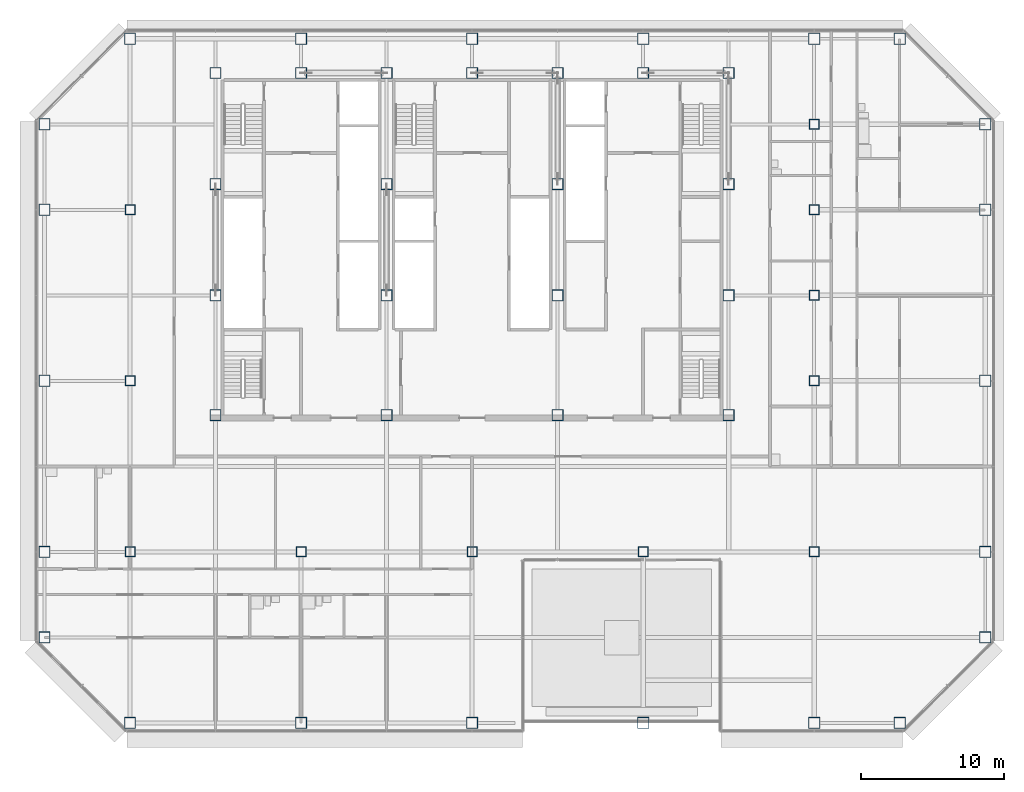
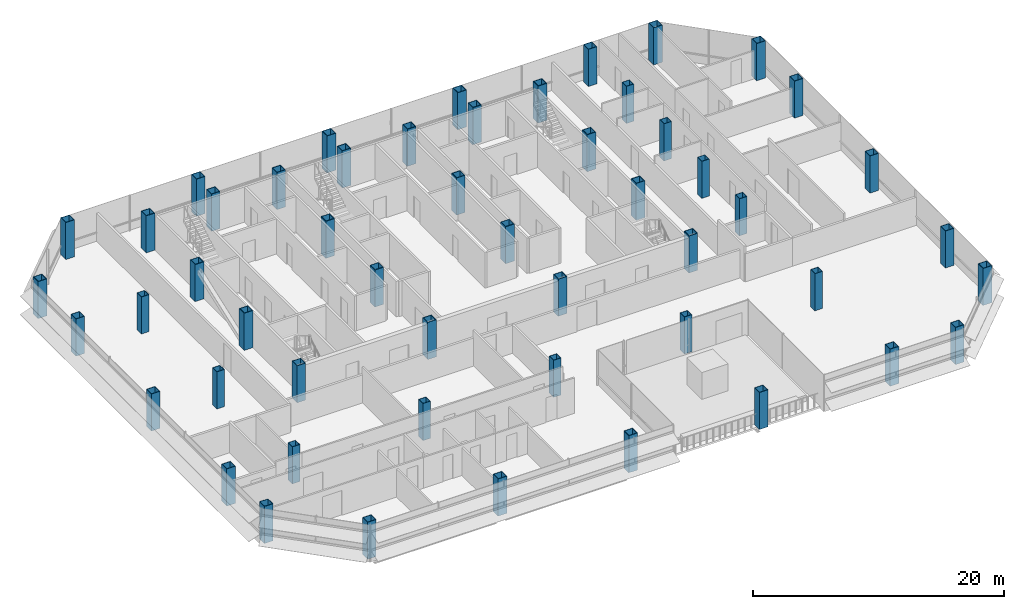
# One storey, part 1 of 26: 52 columns.
"""IFC4 building model written with IfcOpenShell, lengths in metres."""

from ifc_helpers import new_model, si_unit, direction, frame, origin, origin_2d, place, context, subcontext, project, spatial, hollow_rectangle, extrude, material, material_profile, profile_set, type_object, element, save


model = new_model("IFC4")

# Units and contexts
model_context = context("Model", 3, precision=1e-05, world=origin(), true_north=direction((0.0, 1.0)))
body_context = subcontext(model_context, "Body", "Model", "MODEL_VIEW")
ifc_project = project(units=[si_unit("LENGTHUNIT", "METRE"), si_unit("AREAUNIT", "SQUARE_METRE"), si_unit("VOLUMEUNIT", "CUBIC_METRE"), si_unit("PLANEANGLEUNIT", "RADIAN"), si_unit("MASSUNIT", "GRAM", prefix="KILO")], contexts=[model_context])

# Site, building, storey
site_placement = place(None, origin())
site = spatial("IfcSite", under=ifc_project, at=site_placement, CompositionType="ELEMENT")
building_placement = place(site_placement, origin())
building = spatial("IfcBuilding", under=site, at=building_placement, Name="Sorahane Residences", CompositionType="ELEMENT")
storey_placement = place(building_placement, frame((0.0, 0.0, 103.39990234375)))
storey = spatial("IfcBuildingStorey", under=building, at=storey_placement, Name="L22", CompositionType="ELEMENT", Elevation=103.39990234375)

# Columns
ifc_material_1 = material(Name="Steel Q355B", Category="steel")
ifc_material_profile_1 = material_profile(ifc_material_1, hollow_rectangle(XDim=0.699951171875, YDim=0.699951171875, WallThickness=0.035888671875, at=origin_2d()), Name="BOX 700x700x36")
ifc_profile_set_1 = profile_set([ifc_material_profile_1], Name="Steel Q355B")
column_type_1 = type_object("IfcColumnType", Name="Steel box column BOX 700x700x36 Q355B", PredefinedType="COLUMN", material=ifc_profile_set_1)
for number, where, z_axis, x_axis, name in (
    (1, (0.0, 12.0, 0.0), (0.0, 0.0, 1.0), (1.0, 0.0, 0.0), "Column L22 0/12"),
    (2, (0.0, 24.0, 0.0), (0.0, 0.0, 1.0), (1.0, 0.0, 0.0), "Column L22 0/24"),
    (3, (0.0, 36.0, 0.0), (0.0, 0.0, 1.0), (1.0, 0.0, 0.0), "Column L22 0/36"),
    (4, (12.0, 12.0, 0.0), (0.0, 0.0, 1.0), (1.0, 0.0, 0.0), "Column L22 12/12"),
    (5, (24.0, 12.0, 0.0), (0.0, 0.0, 1.0), (1.0, 0.0, 0.0), "Column L22 24/12"),
    (6, (36.0, 12.0, 0.0), (0.0, 0.0, 1.0), (1.0, 0.0, 0.0), "Column L22 36/12"),
    (7, (48.0, 12.0, 0.0), (0.0, 0.0, 1.0), (1.0, 0.0, 0.0), "Column L22 48/12"),
    (8, (48.0, 24.0, 0.0), (0.0, 0.0, 1.0), (1.0, 0.0, 0.0), "Column L22 48/24"),
    (9, (48.0, 30.0, 0.0), (0.0, 0.0, 1.0), (1.0, 0.0, 0.0), "Column L22 48/30"),
    (10, (48.0, 36.0, 0.0), (0.0, 0.0, 1.0), (1.0, 0.0, 0.0), "Column L22 48/36"),
    (11, (48.0, 42.0, 0.0), (0.0, 0.0, 1.0), (1.0, 0.0, 0.0), "Column L22 48/42"),
):
    element("IfcColumn", number, at=place(storey_placement, frame(where, z_axis=z_axis, x_axis=x_axis)), inside=storey, type_object=column_type_1, Name=name, PredefinedType="COLUMN", context=body_context, shape_type="SweptSolid", body=[
        extrude(hollow_rectangle(XDim=0.699951171875, YDim=0.699951171875, WallThickness=0.035888671875, at=origin_2d()), origin(), (0.0, 0.0, 1.0), 3.60009765625),
    ])
ifc_material_2 = material(Name="Steel Q355B", Category="steel")
ifc_material_profile_2 = material_profile(ifc_material_2, hollow_rectangle(XDim=0.800048828125, YDim=0.800048828125, WallThickness=0.0400390625, at=origin_2d()), Name="BOX 800x800x40")
ifc_profile_set_2 = profile_set([ifc_material_profile_2], Name="Steel Q355B")
column_type_2 = type_object("IfcColumnType", Name="Steel box column BOX 800x800x40 Q355B", PredefinedType="COLUMN", material=ifc_profile_set_2)
for number, where, z_axis, x_axis, name in (
    (12, (-6.0, 6.0, 0.0), (0.0, 0.0, 1.0), (1.0, 0.0, 0.0), "Column L22 m6/6"),
    (13, (-6.0, 12.0, 0.0), (0.0, 0.0, 1.0), (1.0, 0.0, 0.0), "Column L22 m6/12"),
    (14, (-6.0, 24.0, 0.0), (0.0, 0.0, 1.0), (1.0, 0.0, 0.0), "Column L22 m6/24"),
    (15, (-6.0, 36.0, 0.0), (0.0, 0.0, 1.0), (1.0, 0.0, 0.0), "Column L22 m6/36"),
    (16, (-6.0, 42.0, 0.0), (0.0, 0.0, 1.0), (1.0, 0.0, 0.0), "Column L22 m6/42"),
    (17, (0.0, 0.0, 0.0), (0.0, 0.0, 1.0), (1.0, 0.0, 0.0), "Column L22 0/0"),
    (18, (0.0, 48.0, 0.0), (0.0, 0.0, 1.0), (1.0, 0.0, 0.0), "Column L22 0/48"),
    (19, (12.0, 0.0, 0.0), (0.0, 0.0, 1.0), (1.0, 0.0, 0.0), "Column L22 12/0"),
    (20, (12.0, 48.0, 0.0), (0.0, 0.0, 1.0), (1.0, 0.0, 0.0), "Column L22 12/48"),
    (21, (24.0, 0.0, 0.0), (0.0, 0.0, 1.0), (1.0, 0.0, 0.0), "Column L22 24/0"),
    (22, (24.0, 48.0, 0.0), (0.0, 0.0, 1.0), (1.0, 0.0, 0.0), "Column L22 24/48"),
    (23, (36.0, 0.0, 0.0), (0.0, 0.0, 1.0), (1.0, 0.0, 0.0), "Column L22 36/0"),
    (24, (36.0, 48.0, 0.0), (0.0, 0.0, 1.0), (1.0, 0.0, 0.0), "Column L22 36/48"),
    (25, (48.0, 0.0, 0.0), (0.0, 0.0, 1.0), (1.0, 0.0, 0.0), "Column L22 48/0"),
    (26, (48.0, 48.0, 0.0), (0.0, 0.0, 1.0), (1.0, 0.0, 0.0), "Column L22 48/48"),
    (27, (54.0, 0.0, 0.0), (0.0, 0.0, 1.0), (1.0, 0.0, 0.0), "Column L22 54/0"),
    (28, (54.0, 48.0, 0.0), (0.0, 0.0, 1.0), (1.0, 0.0, 0.0), "Column L22 54/48"),
    (29, (60.0, 6.0, 0.0), (0.0, 0.0, 1.0), (1.0, 0.0, 0.0), "Column L22 60/6"),
    (30, (60.0, 12.0, 0.0), (0.0, 0.0, 1.0), (1.0, 0.0, 0.0), "Column L22 60/12"),
    (31, (60.0, 24.0, 0.0), (0.0, 0.0, 1.0), (1.0, 0.0, 0.0), "Column L22 60/24"),
    (32, (60.0, 36.0, 0.0), (0.0, 0.0, 1.0), (1.0, 0.0, 0.0), "Column L22 60/36"),
    (33, (60.0, 42.0, 0.0), (0.0, 0.0, 1.0), (1.0, 0.0, 0.0), "Column L22 60/42"),
):
    element("IfcColumn", number, at=place(storey_placement, frame(where, z_axis=z_axis, x_axis=x_axis)), inside=storey, type_object=column_type_2, Name=name, PredefinedType="COLUMN", context=body_context, shape_type="SweptSolid", body=[
        extrude(hollow_rectangle(XDim=0.800048828125, YDim=0.800048828125, WallThickness=0.0400390625, at=origin_2d()), origin(), (0.0, 0.0, 1.0), 3.60009765625),
    ])
ifc_material_3 = material(Name="Steel Q420GJ", Category="steel")
ifc_material_profile_3 = material_profile(ifc_material_3, hollow_rectangle(XDim=0.800048828125, YDim=0.800048828125, WallThickness=0.050048828125, at=origin_2d()), Name="BOX 800x800x50")
ifc_profile_set_3 = profile_set([ifc_material_profile_3], Name="Steel Q420GJ")
column_type_3 = type_object("IfcColumnType", Name="Steel box column BOX 800x800x50 Q420GJ", PredefinedType="COLUMN", material=ifc_profile_set_3)
for number, where, z_axis, x_axis, name in (
    (34, (6.0, 21.60009765625, 0.0), (0.0, 0.0, 1.0), (1.0, 0.0, 0.0), "Column L22 6/21.6"),
    (35, (6.0, 30.0, 0.0), (0.0, 0.0, 1.0), (1.0, 0.0, 0.0), "Column L22 6/30"),
    (36, (6.0, 37.800048828125, 0.0), (0.0, 0.0, 1.0), (1.0, 0.0, 0.0), "Column L22 6/37.8"),
    (37, (6.0, 45.60009765625, 0.0), (0.0, 0.0, 1.0), (1.0, 0.0, 0.0), "Column L22 6/45.6"),
    (38, (12.0, 45.60009765625, 0.0), (0.0, 0.0, 1.0), (1.0, 0.0, 0.0), "Column L22 12/45.6"),
    (39, (18.0, 21.60009765625, 0.0), (0.0, 0.0, 1.0), (1.0, 0.0, 0.0), "Column L22 18/21.6"),
    (40, (18.0, 30.0, 0.0), (0.0, 0.0, 1.0), (1.0, 0.0, 0.0), "Column L22 18/30"),
    (41, (18.0, 37.800048828125, 0.0), (0.0, 0.0, 1.0), (1.0, 0.0, 0.0), "Column L22 18/37.8"),
    (42, (18.0, 45.60009765625, 0.0), (0.0, 0.0, 1.0), (1.0, 0.0, 0.0), "Column L22 18/45.6"),
    (43, (24.0, 45.60009765625, 0.0), (0.0, 0.0, 1.0), (1.0, 0.0, 0.0), "Column L22 24/45.6"),
    (44, (30.0, 21.60009765625, 0.0), (0.0, 0.0, 1.0), (1.0, 0.0, 0.0), "Column L22 30/21.6"),
    (45, (30.0, 30.0, 0.0), (0.0, 0.0, 1.0), (1.0, 0.0, 0.0), "Column L22 30/30"),
    (46, (30.0, 37.800048828125, 0.0), (0.0, 0.0, 1.0), (1.0, 0.0, 0.0), "Column L22 30/37.8"),
    (47, (30.0, 45.60009765625, 0.0), (0.0, 0.0, 1.0), (1.0, 0.0, 0.0), "Column L22 30/45.6"),
    (48, (36.0, 45.60009765625, 0.0), (0.0, 0.0, 1.0), (1.0, 0.0, 0.0), "Column L22 36/45.6"),
    (49, (42.0, 21.60009765625, 0.0), (0.0, 0.0, 1.0), (1.0, 0.0, 0.0), "Column L22 42/21.6"),
    (50, (42.0, 30.0, 0.0), (0.0, 0.0, 1.0), (1.0, 0.0, 0.0), "Column L22 42/30"),
    (51, (42.0, 37.800048828125, 0.0), (0.0, 0.0, 1.0), (1.0, 0.0, 0.0), "Column L22 42/37.8"),
    (52, (42.0, 45.60009765625, 0.0), (0.0, 0.0, 1.0), (1.0, 0.0, 0.0), "Column L22 42/45.6"),
):
    element("IfcColumn", number, at=place(storey_placement, frame(where, z_axis=z_axis, x_axis=x_axis)), inside=storey, type_object=column_type_3, Name=name, PredefinedType="COLUMN", context=body_context, shape_type="SweptSolid", body=[
        extrude(hollow_rectangle(XDim=0.800048828125, YDim=0.800048828125, WallThickness=0.050048828125, at=origin_2d()), origin(), (0.0, 0.0, 1.0), 3.60009765625),
    ])

save(model, "model.ifc")
